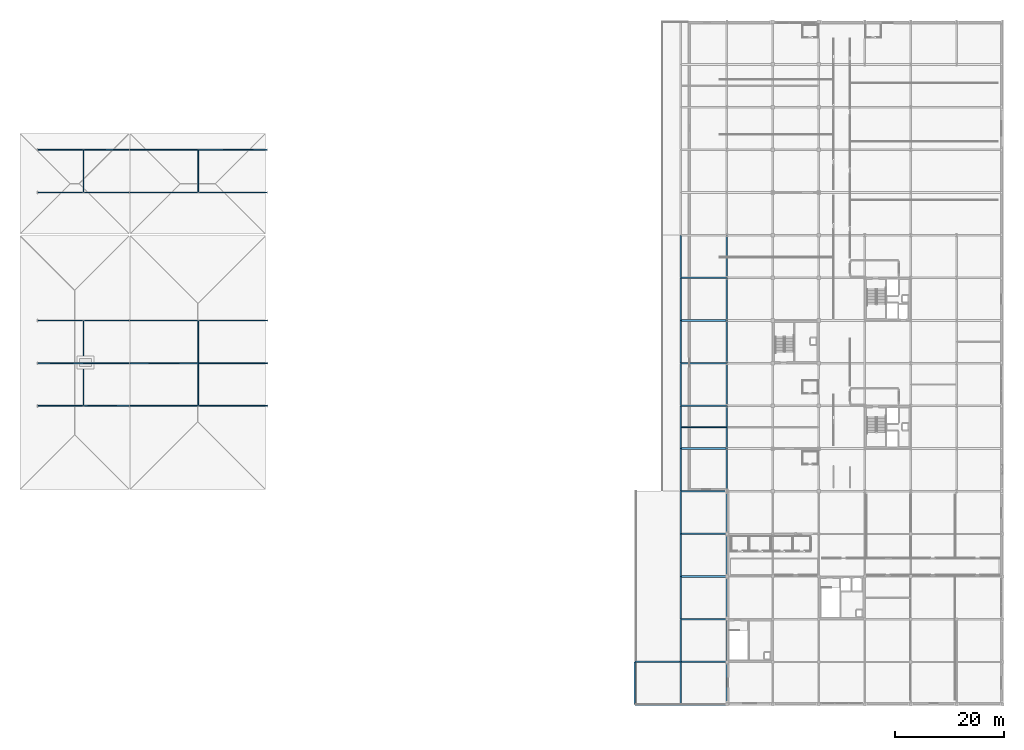
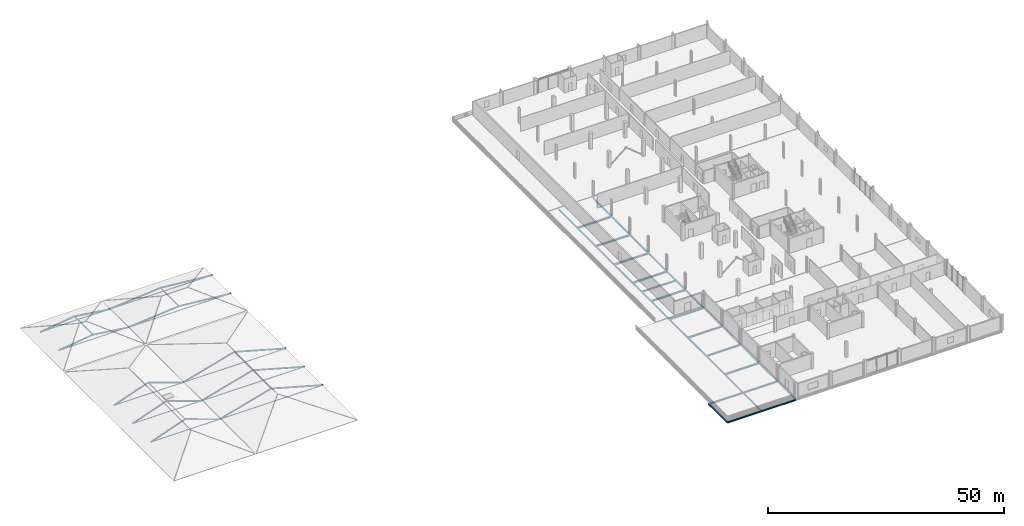
# One storey, part 8 of 41: 37 beams, 34 members.
"""IFC4 building model written with IfcOpenShell, lengths in metres."""

from ifc_helpers import new_model, si_unit, direction, frame, origin, origin_2d, place, context, subcontext, project, spatial, hollow_rectangle, hollow_circle, i_section, extrude, material, material_profile, profile_set, type_object, element, save


model = new_model("IFC4")

# Units and contexts
model_context = context("Model", 3, precision=1e-05, world=origin(), true_north=direction((0.0, 1.0)))
body_context = subcontext(model_context, "Body", "Model", "MODEL_VIEW")
ifc_project = project(units=[si_unit("LENGTHUNIT", "METRE"), si_unit("AREAUNIT", "SQUARE_METRE"), si_unit("VOLUMEUNIT", "CUBIC_METRE"), si_unit("PLANEANGLEUNIT", "RADIAN"), si_unit("MASSUNIT", "GRAM", prefix="KILO")], contexts=[model_context])

# Site, building, storey
site_placement = place(None, origin())
site = spatial("IfcSite", under=ifc_project, at=site_placement, CompositionType="ELEMENT")
building_placement = place(site_placement, origin())
building = spatial("IfcBuilding", under=site, at=building_placement, Name="Nabrawat Pavilion Hospital", CompositionType="ELEMENT")
storey_placement = place(building_placement, frame((0.0, 0.0, 18.89990234375)))
storey = spatial("IfcBuildingStorey", under=building, at=storey_placement, Name="L04", CompositionType="ELEMENT", Elevation=18.89990234375)

# Beams
ifc_material = material(Name="Steel S355", Category="steel")
ifc_material_profile_1 = material_profile(ifc_material, i_section(OverallWidth=0.300048828125, OverallDepth=0.43994140625, WebThickness=0.011474609375, FlangeThickness=0.02099609375, FilletRadius=0.027099609375, at=origin_2d()), Name="HEA 450")
ifc_profile_set_1 = profile_set([ifc_material_profile_1], Name="Steel S355")
beam_type_1 = type_object("IfcBeamType", Name="Mid-Tier Ward Girder HEA 450", PredefinedType="USERDEFINED", material=ifc_profile_set_1)
for number, where, z_axis, x_axis, name in (
    (1, (134.419921875, 46.800048828125, -0.4599609375), (1.0, 0.0, 0.0), (0.0, 1.0, 0.0), "L04 Primary X Girder 1792"),
    (2, (134.419921875, 54.60009765625, -0.4599609375), (1.0, 0.0, 0.0), (0.0, 1.0, 0.0), "L04 Primary X Girder 1799"),
    (3, (134.419921875, 62.39990234375, -0.4599609375), (1.0, 0.0, 0.0), (0.0, 1.0, 0.0), "L04 Primary X Girder 1806"),
    (4, (134.419921875, 70.199951171875, -0.4599609375), (1.0, 0.0, 0.0), (0.0, 1.0, 0.0), "L04 Primary X Girder 1812"),
    (5, (134.419921875, 78.0, -0.4599609375), (1.0, 0.0, 0.0), (0.0, 1.0, 0.0), "L04 Primary X Girder 1819"),
):
    element("IfcBeam", number, at=place(storey_placement, frame(where, z_axis=z_axis, x_axis=x_axis)), inside=storey, type_object=beam_type_1, Name=name, ObjectType="GIRDER", PredefinedType="USERDEFINED", context=body_context, shape_type="SweptSolid", body=[
        extrude(i_section(OverallWidth=0.300048828125, OverallDepth=0.43994140625, WebThickness=0.011474609375, FlangeThickness=0.02099609375, FilletRadius=0.027099609375, at=origin_2d()), origin(), (0.0, 0.0, 1.0), 8.360107421875),
    ])
ifc_material_profile_2 = material_profile(ifc_material, i_section(OverallWidth=0.300048828125, OverallDepth=0.389892578125, WebThickness=0.010986328125, FlangeThickness=0.01904296875, FilletRadius=0.027099609375, at=origin_2d()), Name="HEA 400")
ifc_profile_set_2 = profile_set([ifc_material_profile_2], Name="Steel S355")
beam_type_2 = type_object("IfcBeamType", Name="Perimeter Moment Spandrel Beam HEA 400", PredefinedType="SPANDREL", material=ifc_profile_set_2)
beam_1_placement = place(storey_placement, frame((126.02001953125, 0.0, -0.414794921875), z_axis=(1.0, 0.0, 0.0), x_axis=(0.0, 1.0, 0.0)))
element("IfcBeam", 6, at=beam_1_placement, inside=storey, type_object=beam_type_2, Name="L04 Primary X Girder 1753", PredefinedType="SPANDREL", context=body_context, shape_type="SweptSolid", body=[
    extrude(i_section(OverallWidth=0.300048828125, OverallDepth=0.389892578125, WebThickness=0.010986328125, FlangeThickness=0.01904296875, FilletRadius=0.027099609375, at=origin_2d()), origin(), (0.0, 0.0, 1.0), 8.35986328125),
])
beam_2_placement = place(storey_placement, frame((134.419921875, 0.0, -0.414794921875), z_axis=(1.0, 0.0, 0.0), x_axis=(0.0, 1.0, 0.0)))
element("IfcBeam", 7, at=beam_2_placement, inside=storey, type_object=beam_type_2, Name="L04 Primary X Girder 1754", PredefinedType="SPANDREL", context=body_context, shape_type="SweptSolid", body=[
    extrude(i_section(OverallWidth=0.300048828125, OverallDepth=0.389892578125, WebThickness=0.010986328125, FlangeThickness=0.01904296875, FilletRadius=0.027099609375, at=origin_2d()), origin(), (0.0, 0.0, 1.0), 8.360107421875),
])
beam_3_placement = place(storey_placement, frame((126.02001953125, 7.800048828125, -0.414794921875), z_axis=(1.0, 0.0, 0.0), x_axis=(0.0, 1.0, 0.0)))
element("IfcBeam", 8, at=beam_3_placement, inside=storey, type_object=beam_type_2, Name="L04 Primary X Girder 1761", PredefinedType="SPANDREL", context=body_context, shape_type="SweptSolid", body=[
    extrude(i_section(OverallWidth=0.300048828125, OverallDepth=0.389892578125, WebThickness=0.010986328125, FlangeThickness=0.01904296875, FilletRadius=0.027099609375, at=origin_2d()), origin(), (0.0, 0.0, 1.0), 8.35986328125),
])
for number, where, z_axis, x_axis, name in (
    (9, (134.419921875, 7.800048828125, -0.414794921875), (1.0, 0.0, 0.0), (0.0, 1.0, 0.0), "L04 Primary X Girder 1762"),
    (10, (134.419921875, 15.60009765625, -0.414794921875), (1.0, 0.0, 0.0), (0.0, 1.0, 0.0), "L04 Primary X Girder 1767"),
    (11, (134.419921875, 23.39990234375, -0.414794921875), (1.0, 0.0, 0.0), (0.0, 1.0, 0.0), "L04 Primary X Girder 1774"),
    (12, (134.419921875, 31.199951171875, -0.414794921875), (1.0, 0.0, 0.0), (0.0, 1.0, 0.0), "L04 Primary X Girder 1780"),
):
    element("IfcBeam", number, at=place(storey_placement, frame(where, z_axis=z_axis, x_axis=x_axis)), inside=storey, type_object=beam_type_2, Name=name, PredefinedType="SPANDREL", context=body_context, shape_type="SweptSolid", body=[
        extrude(i_section(OverallWidth=0.300048828125, OverallDepth=0.389892578125, WebThickness=0.010986328125, FlangeThickness=0.01904296875, FilletRadius=0.027099609375, at=origin_2d()), origin(), (0.0, 0.0, 1.0), 8.360107421875),
    ])

# Members
ifc_material_profile_3 = material_profile(ifc_material, hollow_circle(Radius=0.122314453125, WallThickness=0.012451171875, at=origin_2d()), Name="CHS 244.5x12.5")
ifc_profile_set_3 = profile_set([ifc_material_profile_3], Name="Steel S355")
member_type_1 = type_object("IfcMemberType", Name="Space Frame Transverse Chord CHS 244.5x12.5", PredefinedType="CHORD", material=ifc_profile_set_3)
for number, where, z_axis, x_axis, name in (
    (13, (16.800048828125, 54.60009765625, -0.349853515625), (1.0, 0.0, 0.0), (0.0, 1.0, 0.0), "Surgical West-South Pavilion Truss Bottom Tie Chord 01"),
    (14, (16.800048828125, 62.39990234375, -0.349853515625), (1.0, 0.0, 0.0), (0.0, 1.0, 0.0), "Surgical West-South Pavilion Truss Bottom Tie Chord 02"),
    (15, (16.800048828125, 70.199951171875, -0.349853515625), (1.0, 0.0, 0.0), (0.0, 1.0, 0.0), "Surgical West-South Pavilion Truss Bottom Tie Chord 03"),
):
    element("IfcMember", number, at=place(storey_placement, frame(where, z_axis=z_axis, x_axis=x_axis)), inside=storey, type_object=member_type_1, Name=name, PredefinedType="CHORD", context=body_context, shape_type="SweptSolid", body=[
        extrude(hollow_circle(Radius=0.122314453125, WallThickness=0.012451171875, at=origin_2d()), origin(), (0.0, 0.0, 1.0), 16.800048828125),
    ])
for number, where, z_axis, x_axis, name in (
    (16, (33.60009765625, 54.60009765625, -0.349853515625), (1.0, 0.0, 0.0), (0.0, 1.0, 0.0), "Surgical East-South Pavilion Truss Bottom Tie Chord 01"),
    (17, (33.60009765625, 62.39990234375, -0.349853515625), (1.0, 0.0, 0.0), (0.0, 1.0, 0.0), "Surgical East-South Pavilion Truss Bottom Tie Chord 02"),
    (18, (33.60009765625, 70.199951171875, -0.349853515625), (1.0, 0.0, 0.0), (0.0, 1.0, 0.0), "Surgical East-South Pavilion Truss Bottom Tie Chord 03"),
):
    element("IfcMember", number, at=place(storey_placement, frame(where, z_axis=z_axis, x_axis=x_axis)), inside=storey, type_object=member_type_1, Name=name, PredefinedType="CHORD", context=body_context, shape_type="SweptSolid", body=[
        extrude(hollow_circle(Radius=0.122314453125, WallThickness=0.012451171875, at=origin_2d()), origin(), (0.0, 0.0, 1.0), 25.199951171875),
    ])
for number, where, z_axis, x_axis, name in (
    (19, (16.800048828125, 93.60009765625, -0.349853515625), (1.0, 0.0, 0.0), (0.0, 1.0, 0.0), "Surgical West-North Pavilion Truss Bottom Tie Chord 01"),
    (20, (16.800048828125, 101.39990234375, -0.349853515625), (1.0, 0.0, 0.0), (0.0, 1.0, 0.0), "Surgical West-North Pavilion Truss Bottom Tie Chord 02"),
):
    element("IfcMember", number, at=place(storey_placement, frame(where, z_axis=z_axis, x_axis=x_axis)), inside=storey, type_object=member_type_1, Name=name, PredefinedType="CHORD", context=body_context, shape_type="SweptSolid", body=[
        extrude(hollow_circle(Radius=0.122314453125, WallThickness=0.012451171875, at=origin_2d()), origin(), (0.0, 0.0, 1.0), 16.800048828125),
    ])
for number, where, z_axis, x_axis, name in (
    (21, (33.60009765625, 93.60009765625, -0.349853515625), (1.0, 0.0, 0.0), (0.0, 1.0, 0.0), "Surgical East-North Pavilion Truss Bottom Tie Chord 01"),
    (22, (33.60009765625, 101.39990234375, -0.349853515625), (1.0, 0.0, 0.0), (0.0, 1.0, 0.0), "Surgical East-North Pavilion Truss Bottom Tie Chord 02"),
):
    element("IfcMember", number, at=place(storey_placement, frame(where, z_axis=z_axis, x_axis=x_axis)), inside=storey, type_object=member_type_1, Name=name, PredefinedType="CHORD", context=body_context, shape_type="SweptSolid", body=[
        extrude(hollow_circle(Radius=0.122314453125, WallThickness=0.012451171875, at=origin_2d()), origin(), (0.0, 0.0, 1.0), 25.199951171875),
    ])
ifc_material_profile_4 = material_profile(ifc_material, i_section(OverallWidth=0.169921875, OverallDepth=0.360107421875, WebThickness=0.008056640625, FlangeThickness=0.0126953125, FilletRadius=0.01806640625, at=origin_2d()), Name="IPE 360")
ifc_profile_set_4 = profile_set([ifc_material_profile_4], Name="Steel S355")
member_type_2 = type_object("IfcMemberType", Name="Surgical Hipped Roof Rafter IPE 360", PredefinedType="RAFTER", material=ifc_profile_set_4)
member_1_placement = place(storey_placement, frame((16.800048828125, 54.60009765625, -0.349853515625), z_axis=(0.943018666392, 0.0, 0.332739830553), x_axis=(0.0, 1.0, 0.0)))
element("IfcMember", 23, at=member_1_placement, inside=storey, type_object=member_type_2, Name="Surgical West-South Pavilion West Hipped Rafter 01", PredefinedType="RAFTER", context=body_context, shape_type="SweptSolid", body=[
    extrude(i_section(OverallWidth=0.169921875, OverallDepth=0.360107421875, WebThickness=0.008056640625, FlangeThickness=0.0126953125, FilletRadius=0.01806640625, at=origin_2d()), origin(), (0.0, 0.0, 1.0), 8.907470703125),
])
member_2_placement = place(storey_placement, frame((33.60009765625, 54.60009765625, -0.349853515625), z_axis=(-0.943021700834, 0.0, 0.332731230509), x_axis=(0.0, -1.0, 0.0)))
element("IfcMember", 24, at=member_2_placement, inside=storey, type_object=member_type_2, Name="Surgical West-South Pavilion East Hipped Rafter 01", PredefinedType="RAFTER", context=body_context, shape_type="SweptSolid", body=[
    extrude(i_section(OverallWidth=0.169921875, OverallDepth=0.360107421875, WebThickness=0.008056640625, FlangeThickness=0.0126953125, FilletRadius=0.01806640625, at=origin_2d()), origin(), (0.0, 0.0, 1.0), 8.90771484375),
])
member_3_placement = place(storey_placement, frame((16.800048828125, 62.39990234375, -0.349853515625), z_axis=(0.943018666392, 0.0, 0.332739830553), x_axis=(0.0, 1.0, 0.0)))
element("IfcMember", 25, at=member_3_placement, inside=storey, type_object=member_type_2, Name="Surgical West-South Pavilion West Hipped Rafter 02", PredefinedType="RAFTER", context=body_context, shape_type="SweptSolid", body=[
    extrude(i_section(OverallWidth=0.169921875, OverallDepth=0.360107421875, WebThickness=0.008056640625, FlangeThickness=0.0126953125, FilletRadius=0.01806640625, at=origin_2d()), origin(), (0.0, 0.0, 1.0), 8.907470703125),
])
member_4_placement = place(storey_placement, frame((33.60009765625, 62.39990234375, -0.349853515625), z_axis=(-0.943021700834, 0.0, 0.332731230509), x_axis=(0.0, -1.0, 0.0)))
element("IfcMember", 26, at=member_4_placement, inside=storey, type_object=member_type_2, Name="Surgical West-South Pavilion East Hipped Rafter 02", PredefinedType="RAFTER", context=body_context, shape_type="SweptSolid", body=[
    extrude(i_section(OverallWidth=0.169921875, OverallDepth=0.360107421875, WebThickness=0.008056640625, FlangeThickness=0.0126953125, FilletRadius=0.01806640625, at=origin_2d()), origin(), (0.0, 0.0, 1.0), 8.90771484375),
])
member_5_placement = place(storey_placement, frame((16.800048828125, 70.199951171875, -0.349853515625), z_axis=(0.943018666392, 0.0, 0.332739830553), x_axis=(0.0, 1.0, 0.0)))
element("IfcMember", 27, at=member_5_placement, inside=storey, type_object=member_type_2, Name="Surgical West-South Pavilion West Hipped Rafter 03", PredefinedType="RAFTER", context=body_context, shape_type="SweptSolid", body=[
    extrude(i_section(OverallWidth=0.169921875, OverallDepth=0.360107421875, WebThickness=0.008056640625, FlangeThickness=0.0126953125, FilletRadius=0.01806640625, at=origin_2d()), origin(), (0.0, 0.0, 1.0), 8.907470703125),
])
member_6_placement = place(storey_placement, frame((33.60009765625, 70.199951171875, -0.349853515625), z_axis=(-0.943021700834, 0.0, 0.332731230509), x_axis=(0.0, -1.0, 0.0)))
element("IfcMember", 28, at=member_6_placement, inside=storey, type_object=member_type_2, Name="Surgical West-South Pavilion East Hipped Rafter 03", PredefinedType="RAFTER", context=body_context, shape_type="SweptSolid", body=[
    extrude(i_section(OverallWidth=0.169921875, OverallDepth=0.360107421875, WebThickness=0.008056640625, FlangeThickness=0.0126953125, FilletRadius=0.01806640625, at=origin_2d()), origin(), (0.0, 0.0, 1.0), 8.90771484375),
])
member_7_placement = place(storey_placement, frame((33.60009765625, 54.60009765625, -0.349853515625), z_axis=(0.963300185855, 0.0, 0.268426436722), x_axis=(0.0, 1.0, 0.0)))
element("IfcMember", 29, at=member_7_placement, inside=storey, type_object=member_type_2, Name="Surgical East-South Pavilion West Hipped Rafter 01", PredefinedType="RAFTER", context=body_context, shape_type="SweptSolid", body=[
    extrude(i_section(OverallWidth=0.169921875, OverallDepth=0.360107421875, WebThickness=0.008056640625, FlangeThickness=0.0126953125, FilletRadius=0.01806640625, at=origin_2d()), origin(), (0.0, 0.0, 1.0), 13.079833984375),
])
member_8_placement = place(storey_placement, frame((58.800048828125, 54.60009765625, -0.349853515625), z_axis=(-0.963301530709, 0.0, 0.268421610407), x_axis=(0.0, -1.0, 0.0)))
element("IfcMember", 30, at=member_8_placement, inside=storey, type_object=member_type_2, Name="Surgical East-South Pavilion East Hipped Rafter 01", PredefinedType="RAFTER", context=body_context, shape_type="SweptSolid", body=[
    extrude(i_section(OverallWidth=0.169921875, OverallDepth=0.360107421875, WebThickness=0.008056640625, FlangeThickness=0.0126953125, FilletRadius=0.01806640625, at=origin_2d()), origin(), (0.0, 0.0, 1.0), 13.080078125),
])
member_9_placement = place(storey_placement, frame((33.60009765625, 62.39990234375, -0.349853515625), z_axis=(0.963300185855, 0.0, 0.268426436722), x_axis=(0.0, 1.0, 0.0)))
element("IfcMember", 31, at=member_9_placement, inside=storey, type_object=member_type_2, Name="Surgical East-South Pavilion West Hipped Rafter 02", PredefinedType="RAFTER", context=body_context, shape_type="SweptSolid", body=[
    extrude(i_section(OverallWidth=0.169921875, OverallDepth=0.360107421875, WebThickness=0.008056640625, FlangeThickness=0.0126953125, FilletRadius=0.01806640625, at=origin_2d()), origin(), (0.0, 0.0, 1.0), 13.079833984375),
])
member_10_placement = place(storey_placement, frame((58.800048828125, 62.39990234375, -0.349853515625), z_axis=(-0.963301530709, 0.0, 0.268421610407), x_axis=(0.0, -1.0, 0.0)))
element("IfcMember", 32, at=member_10_placement, inside=storey, type_object=member_type_2, Name="Surgical East-South Pavilion East Hipped Rafter 02", PredefinedType="RAFTER", context=body_context, shape_type="SweptSolid", body=[
    extrude(i_section(OverallWidth=0.169921875, OverallDepth=0.360107421875, WebThickness=0.008056640625, FlangeThickness=0.0126953125, FilletRadius=0.01806640625, at=origin_2d()), origin(), (0.0, 0.0, 1.0), 13.080078125),
])
member_11_placement = place(storey_placement, frame((33.60009765625, 70.199951171875, -0.349853515625), z_axis=(0.963300185855, 0.0, 0.268426436722), x_axis=(0.0, 1.0, 0.0)))
element("IfcMember", 33, at=member_11_placement, inside=storey, type_object=member_type_2, Name="Surgical East-South Pavilion West Hipped Rafter 03", PredefinedType="RAFTER", context=body_context, shape_type="SweptSolid", body=[
    extrude(i_section(OverallWidth=0.169921875, OverallDepth=0.360107421875, WebThickness=0.008056640625, FlangeThickness=0.0126953125, FilletRadius=0.01806640625, at=origin_2d()), origin(), (0.0, 0.0, 1.0), 13.079833984375),
])
member_12_placement = place(storey_placement, frame((58.800048828125, 70.199951171875, -0.349853515625), z_axis=(-0.963301530709, 0.0, 0.268421610407), x_axis=(0.0, -1.0, 0.0)))
element("IfcMember", 34, at=member_12_placement, inside=storey, type_object=member_type_2, Name="Surgical East-South Pavilion East Hipped Rafter 03", PredefinedType="RAFTER", context=body_context, shape_type="SweptSolid", body=[
    extrude(i_section(OverallWidth=0.169921875, OverallDepth=0.360107421875, WebThickness=0.008056640625, FlangeThickness=0.0126953125, FilletRadius=0.01806640625, at=origin_2d()), origin(), (0.0, 0.0, 1.0), 13.080078125),
])
member_13_placement = place(storey_placement, frame((16.800048828125, 93.60009765625, -0.349853515625), z_axis=(0.991323764136, 0.0, 0.131442742893), x_axis=(0.0, 1.0, 0.0)))
element("IfcMember", 35, at=member_13_placement, inside=storey, type_object=member_type_2, Name="Surgical West-North Pavilion West Hipped Rafter 01", PredefinedType="RAFTER", context=body_context, shape_type="SweptSolid", body=[
    extrude(i_section(OverallWidth=0.169921875, OverallDepth=0.360107421875, WebThickness=0.008056640625, FlangeThickness=0.0126953125, FilletRadius=0.01806640625, at=origin_2d()), origin(), (0.0, 0.0, 1.0), 8.473388671875),
])
member_14_placement = place(storey_placement, frame((33.60009765625, 93.60009765625, -0.349853515625), z_axis=(-0.991324261914, 0.0, 0.131438988661), x_axis=(0.0, -1.0, 0.0)))
element("IfcMember", 36, at=member_14_placement, inside=storey, type_object=member_type_2, Name="Surgical West-North Pavilion East Hipped Rafter 01", PredefinedType="RAFTER", context=body_context, shape_type="SweptSolid", body=[
    extrude(i_section(OverallWidth=0.169921875, OverallDepth=0.360107421875, WebThickness=0.008056640625, FlangeThickness=0.0126953125, FilletRadius=0.01806640625, at=origin_2d()), origin(), (0.0, 0.0, 1.0), 8.4736328125),
])
member_15_placement = place(storey_placement, frame((16.800048828125, 101.39990234375, -0.349853515625), z_axis=(0.991323764136, 0.0, 0.131442742893), x_axis=(0.0, 1.0, 0.0)))
element("IfcMember", 37, at=member_15_placement, inside=storey, type_object=member_type_2, Name="Surgical West-North Pavilion West Hipped Rafter 02", PredefinedType="RAFTER", context=body_context, shape_type="SweptSolid", body=[
    extrude(i_section(OverallWidth=0.169921875, OverallDepth=0.360107421875, WebThickness=0.008056640625, FlangeThickness=0.0126953125, FilletRadius=0.01806640625, at=origin_2d()), origin(), (0.0, 0.0, 1.0), 8.473388671875),
])
member_16_placement = place(storey_placement, frame((33.60009765625, 101.39990234375, -0.349853515625), z_axis=(-0.991324261914, 0.0, 0.131438988661), x_axis=(0.0, -1.0, 0.0)))
element("IfcMember", 38, at=member_16_placement, inside=storey, type_object=member_type_2, Name="Surgical West-North Pavilion East Hipped Rafter 02", PredefinedType="RAFTER", context=body_context, shape_type="SweptSolid", body=[
    extrude(i_section(OverallWidth=0.169921875, OverallDepth=0.360107421875, WebThickness=0.008056640625, FlangeThickness=0.0126953125, FilletRadius=0.01806640625, at=origin_2d()), origin(), (0.0, 0.0, 1.0), 8.4736328125),
])
member_17_placement = place(storey_placement, frame((33.60009765625, 93.60009765625, -0.349853515625), z_axis=(0.996115870998, 0.0, 0.088052095632), x_axis=(0.0, 1.0, 0.0)))
element("IfcMember", 39, at=member_17_placement, inside=storey, type_object=member_type_2, Name="Surgical East-North Pavilion West Hipped Rafter 01", PredefinedType="RAFTER", context=body_context, shape_type="SweptSolid", body=[
    extrude(i_section(OverallWidth=0.169921875, OverallDepth=0.360107421875, WebThickness=0.008056640625, FlangeThickness=0.0126953125, FilletRadius=0.01806640625, at=origin_2d()), origin(), (0.0, 0.0, 1.0), 12.64892578125),
])
member_18_placement = place(storey_placement, frame((58.800048828125, 93.60009765625, -0.349853515625), z_axis=(-0.99611602064, 0.0, 0.088050402754), x_axis=(0.0, -1.0, 0.0)))
element("IfcMember", 40, at=member_18_placement, inside=storey, type_object=member_type_2, Name="Surgical East-North Pavilion East Hipped Rafter 01", PredefinedType="RAFTER", context=body_context, shape_type="SweptSolid", body=[
    extrude(i_section(OverallWidth=0.169921875, OverallDepth=0.360107421875, WebThickness=0.008056640625, FlangeThickness=0.0126953125, FilletRadius=0.01806640625, at=origin_2d()), origin(), (0.0, 0.0, 1.0), 12.649169921875),
])
member_19_placement = place(storey_placement, frame((33.60009765625, 101.39990234375, -0.349853515625), z_axis=(0.996115870998, 0.0, 0.088052095632), x_axis=(0.0, 1.0, 0.0)))
element("IfcMember", 41, at=member_19_placement, inside=storey, type_object=member_type_2, Name="Surgical East-North Pavilion West Hipped Rafter 02", PredefinedType="RAFTER", context=body_context, shape_type="SweptSolid", body=[
    extrude(i_section(OverallWidth=0.169921875, OverallDepth=0.360107421875, WebThickness=0.008056640625, FlangeThickness=0.0126953125, FilletRadius=0.01806640625, at=origin_2d()), origin(), (0.0, 0.0, 1.0), 12.64892578125),
])
member_20_placement = place(storey_placement, frame((58.800048828125, 101.39990234375, -0.349853515625), z_axis=(-0.99611602064, 0.0, 0.088050402754), x_axis=(0.0, -1.0, 0.0)))
element("IfcMember", 42, at=member_20_placement, inside=storey, type_object=member_type_2, Name="Surgical East-North Pavilion East Hipped Rafter 02", PredefinedType="RAFTER", context=body_context, shape_type="SweptSolid", body=[
    extrude(i_section(OverallWidth=0.169921875, OverallDepth=0.360107421875, WebThickness=0.008056640625, FlangeThickness=0.0126953125, FilletRadius=0.01806640625, at=origin_2d()), origin(), (0.0, 0.0, 1.0), 12.649169921875),
])
ifc_material_profile_5 = material_profile(ifc_material, hollow_rectangle(XDim=0.14990234375, YDim=0.25, WallThickness=0.010009765625, at=origin_2d()), Name="RHS 250x150x10")
ifc_profile_set_5 = profile_set([ifc_material_profile_5], Name="Steel S355")
member_type_3 = type_object("IfcMemberType", Name="Surgical Roof Purlin RHS 250x150x10", PredefinedType="PURLIN", material=ifc_profile_set_5)
for number, where, z_axis, x_axis, name in (
    (43, (25.199951171875, 54.60009765625, 2.614013671875), (0.0, 1.0, 0.0), (-1.0, 0.0, 0.0), "Surgical West-South Pavilion Roof Ridge Purlin"),
    (44, (46.199951171875, 54.60009765625, 3.1611328125), (0.0, 1.0, 0.0), (-1.0, 0.0, 0.0), "Surgical East-South Pavilion Roof Ridge Purlin"),
):
    element("IfcMember", number, at=place(storey_placement, frame(where, z_axis=z_axis, x_axis=x_axis)), inside=storey, type_object=member_type_3, Name=name, PredefinedType="PURLIN", context=body_context, shape_type="SweptSolid", body=[
        extrude(hollow_rectangle(XDim=0.14990234375, YDim=0.25, WallThickness=0.010009765625, at=origin_2d()), origin(), (0.0, 0.0, 1.0), 15.599853515625),
    ])
for number, where, z_axis, x_axis, name in (
    (45, (25.199951171875, 93.60009765625, 0.763916015625), (0.0, 1.0, 0.0), (-1.0, 0.0, 0.0), "Surgical West-North Pavilion Roof Ridge Purlin"),
    (46, (46.199951171875, 93.60009765625, 0.763916015625), (0.0, 1.0, 0.0), (-1.0, 0.0, 0.0), "Surgical East-North Pavilion Roof Ridge Purlin"),
):
    element("IfcMember", number, at=place(storey_placement, frame(where, z_axis=z_axis, x_axis=x_axis)), inside=storey, type_object=member_type_3, Name=name, PredefinedType="PURLIN", context=body_context, shape_type="SweptSolid", body=[
        extrude(hollow_rectangle(XDim=0.14990234375, YDim=0.25, WallThickness=0.010009765625, at=origin_2d()), origin(), (0.0, 0.0, 1.0), 7.7998046875),
    ])

# Beams
ifc_material_profile_6 = material_profile(ifc_material, i_section(OverallWidth=0.280029296875, OverallDepth=0.280029296875, WebThickness=0.010498046875, FlangeThickness=0.01806640625, FilletRadius=0.02392578125, at=origin_2d()), Name="HEB 280")
ifc_profile_set_6 = profile_set([ifc_material_profile_6], Name="Steel S355")
beam_type_3 = type_object("IfcBeamType", Name="Upper Terrace Edge Spandrel HEB 280", PredefinedType="SPANDREL", material=ifc_profile_set_6)
for number, where, z_axis, x_axis, name in (
    (47, (126.0, 0.02001953125, -0.35986328125), (0.0, 1.0, 0.0), (-1.0, 0.0, 0.0), "L04 Primary Y Beam 1862"),
    (48, (134.39990234375, 0.02001953125, -0.35986328125), (0.0, 1.0, 0.0), (-1.0, 0.0, 0.0), "L04 Primary Y Beam 1863"),
    (49, (134.39990234375, 7.820068359375, -0.35986328125), (0.0, 1.0, 0.0), (-1.0, 0.0, 0.0), "L04 Primary Y Beam 1864"),
):
    element("IfcBeam", number, at=place(storey_placement, frame(where, z_axis=z_axis, x_axis=x_axis)), inside=storey, type_object=beam_type_3, Name=name, PredefinedType="SPANDREL", context=body_context, shape_type="SweptSolid", body=[
        extrude(i_section(OverallWidth=0.280029296875, OverallDepth=0.280029296875, WebThickness=0.010498046875, FlangeThickness=0.01806640625, FilletRadius=0.02392578125, at=origin_2d()), origin(), (0.0, 0.0, 1.0), 7.760009765625),
    ])
beam_4_placement = place(storey_placement, frame((134.39990234375, 15.6201171875, -0.35986328125), z_axis=(0.0, 1.0, 0.0), x_axis=(-1.0, 0.0, 0.0)))
element("IfcBeam", 50, at=beam_4_placement, inside=storey, type_object=beam_type_3, Name="L04 Primary Y Beam 1865", PredefinedType="SPANDREL", context=body_context, shape_type="SweptSolid", body=[
    extrude(i_section(OverallWidth=0.280029296875, OverallDepth=0.280029296875, WebThickness=0.010498046875, FlangeThickness=0.01806640625, FilletRadius=0.02392578125, at=origin_2d()), origin(), (0.0, 0.0, 1.0), 7.759765625),
])
for number, where, z_axis, x_axis, name in (
    (51, (134.39990234375, 23.419921875, -0.35986328125), (0.0, 1.0, 0.0), (-1.0, 0.0, 0.0), "L04 Primary Y Beam 1866"),
    (52, (134.39990234375, 31.219970703125, -0.35986328125), (0.0, 1.0, 0.0), (-1.0, 0.0, 0.0), "L04 Primary Y Beam 1867"),
    (53, (134.39990234375, 39.02001953125, -0.3798828125), (0.0, 1.0, 0.0), (-1.0, 0.0, 0.0), "L04 Primary Y Beam 1868"),
    (54, (134.39990234375, 46.820068359375, -0.3798828125), (0.0, 1.0, 0.0), (-1.0, 0.0, 0.0), "L04 Primary Y Beam 1869"),
):
    element("IfcBeam", number, at=place(storey_placement, frame(where, z_axis=z_axis, x_axis=x_axis)), inside=storey, type_object=beam_type_3, Name=name, PredefinedType="SPANDREL", context=body_context, shape_type="SweptSolid", body=[
        extrude(i_section(OverallWidth=0.280029296875, OverallDepth=0.280029296875, WebThickness=0.010498046875, FlangeThickness=0.01806640625, FilletRadius=0.02392578125, at=origin_2d()), origin(), (0.0, 0.0, 1.0), 7.760009765625),
    ])
beam_5_placement = place(storey_placement, frame((134.39990234375, 54.6201171875, -0.3798828125), z_axis=(0.0, 1.0, 0.0), x_axis=(-1.0, 0.0, 0.0)))
element("IfcBeam", 55, at=beam_5_placement, inside=storey, type_object=beam_type_3, Name="L04 Primary Y Beam 1870", PredefinedType="SPANDREL", context=body_context, shape_type="SweptSolid", body=[
    extrude(i_section(OverallWidth=0.280029296875, OverallDepth=0.280029296875, WebThickness=0.010498046875, FlangeThickness=0.01806640625, FilletRadius=0.02392578125, at=origin_2d()), origin(), (0.0, 0.0, 1.0), 7.759765625),
])
for number, where, z_axis, x_axis, name in (
    (56, (134.39990234375, 62.419921875, -0.3798828125), (0.0, 1.0, 0.0), (-1.0, 0.0, 0.0), "L04 Primary Y Beam 1871"),
    (57, (134.39990234375, 70.219970703125, -0.3798828125), (0.0, 1.0, 0.0), (-1.0, 0.0, 0.0), "L04 Primary Y Beam 1872"),
    (58, (134.39990234375, 78.02001953125, -0.3798828125), (0.0, 1.0, 0.0), (-1.0, 0.0, 0.0), "L04 Primary Y Beam 1873"),
    (59, (142.800048828125, 0.02001953125, -0.369873046875), (0.0, 1.0, 0.0), (-1.0, 0.0, 0.0), "L04 Primary Y Beam 1879"),
    (60, (142.800048828125, 7.820068359375, -0.369873046875), (0.0, 1.0, 0.0), (-1.0, 0.0, 0.0), "L04 Primary Y Beam 1880"),
):
    element("IfcBeam", number, at=place(storey_placement, frame(where, z_axis=z_axis, x_axis=x_axis)), inside=storey, type_object=beam_type_3, Name=name, PredefinedType="SPANDREL", context=body_context, shape_type="SweptSolid", body=[
        extrude(i_section(OverallWidth=0.280029296875, OverallDepth=0.280029296875, WebThickness=0.010498046875, FlangeThickness=0.01806640625, FilletRadius=0.02392578125, at=origin_2d()), origin(), (0.0, 0.0, 1.0), 7.760009765625),
    ])
beam_6_placement = place(storey_placement, frame((142.800048828125, 15.6201171875, -0.369873046875), z_axis=(0.0, 1.0, 0.0), x_axis=(-1.0, 0.0, 0.0)))
element("IfcBeam", 61, at=beam_6_placement, inside=storey, type_object=beam_type_3, Name="L04 Primary Y Beam 1881", PredefinedType="SPANDREL", context=body_context, shape_type="SweptSolid", body=[
    extrude(i_section(OverallWidth=0.280029296875, OverallDepth=0.280029296875, WebThickness=0.010498046875, FlangeThickness=0.01806640625, FilletRadius=0.02392578125, at=origin_2d()), origin(), (0.0, 0.0, 1.0), 7.759765625),
])
for number, where, z_axis, x_axis, name in (
    (62, (142.800048828125, 23.419921875, -0.369873046875), (0.0, 1.0, 0.0), (-1.0, 0.0, 0.0), "L04 Primary Y Beam 1882"),
    (63, (142.800048828125, 31.219970703125, -0.369873046875), (0.0, 1.0, 0.0), (-1.0, 0.0, 0.0), "L04 Primary Y Beam 1883"),
):
    element("IfcBeam", number, at=place(storey_placement, frame(where, z_axis=z_axis, x_axis=x_axis)), inside=storey, type_object=beam_type_3, Name=name, PredefinedType="SPANDREL", context=body_context, shape_type="SweptSolid", body=[
        extrude(i_section(OverallWidth=0.280029296875, OverallDepth=0.280029296875, WebThickness=0.010498046875, FlangeThickness=0.01806640625, FilletRadius=0.02392578125, at=origin_2d()), origin(), (0.0, 0.0, 1.0), 7.760009765625),
    ])
ifc_material_profile_7 = material_profile(ifc_material, i_section(OverallWidth=0.300048828125, OverallDepth=0.340087890625, WebThickness=0.011962890625, FlangeThickness=0.021484375, FilletRadius=0.027099609375, at=origin_2d()), Name="HEB 340")
ifc_profile_set_7 = profile_set([ifc_material_profile_7], Name="Steel S355")
beam_type_4 = type_object("IfcBeamType", Name="Ward Perimeter Spandrel Beam HEB 340", PredefinedType="SPANDREL", material=ifc_profile_set_7)
beam_7_placement = place(storey_placement, frame((134.419921875, 39.0, -0.409912109375), z_axis=(1.0, 0.0, 0.0), x_axis=(0.0, 1.0, 0.0)))
element("IfcBeam", 64, at=beam_7_placement, inside=storey, type_object=beam_type_4, Name="L04 Primary X Girder 1785", PredefinedType="SPANDREL", context=body_context, shape_type="SweptSolid", body=[
    extrude(i_section(OverallWidth=0.300048828125, OverallDepth=0.340087890625, WebThickness=0.011962890625, FlangeThickness=0.021484375, FilletRadius=0.027099609375, at=origin_2d()), origin(), (0.0, 0.0, 1.0), 8.360107421875),
])
ifc_material_profile_8 = material_profile(ifc_material, i_section(OverallWidth=0.14990234375, OverallDepth=0.300048828125, WebThickness=0.007080078125, FlangeThickness=0.0107421875, FilletRadius=0.014892578125, at=origin_2d()), Name="IPE 300")
ifc_profile_set_8 = profile_set([ifc_material_profile_8], Name="Steel S355")
beam_type_5 = type_object("IfcBeamType", Name="Ward Secondary Floor Joist IPE 300", PredefinedType="JOIST", material=ifc_profile_set_8)
beam_8_placement = place(storey_placement, frame((134.514892578125, 50.699951171875, -0.389892578125), z_axis=(1.0, 0.0, 0.0), x_axis=(0.0, 1.0, 0.0)))
element("IfcBeam", 65, at=beam_8_placement, inside=storey, type_object=beam_type_5, Name="L04 Secondary Composite Floor Joist 1976", PredefinedType="JOIST", context=body_context, shape_type="SweptSolid", body=[
    extrude(i_section(OverallWidth=0.14990234375, OverallDepth=0.300048828125, WebThickness=0.007080078125, FlangeThickness=0.0107421875, FilletRadius=0.014892578125, at=origin_2d()), origin(), (0.0, 0.0, 1.0), 8.16015625),
])
ifc_material_profile_9 = material_profile(ifc_material, i_section(OverallWidth=0.300048828125, OverallDepth=0.31005859375, WebThickness=0.009033203125, FlangeThickness=0.015380859375, FilletRadius=0.027099609375, at=origin_2d()), Name="HEA 320")
ifc_profile_set_9 = profile_set([ifc_material_profile_9], Name="Steel S355")
beam_type_6 = type_object("IfcBeamType", Name="Ward Spine Beam HEA 320", PredefinedType="BEAM", material=ifc_profile_set_9)
for number, where, z_axis, x_axis, name in (
    (66, (142.800048828125, 39.02001953125, -0.39501953125), (0.0, 1.0, 0.0), (-1.0, 0.0, 0.0), "L04 Primary Y Beam 1884"),
    (67, (142.800048828125, 46.820068359375, -0.39501953125), (0.0, 1.0, 0.0), (-1.0, 0.0, 0.0), "L04 Primary Y Beam 1885"),
):
    element("IfcBeam", number, at=place(storey_placement, frame(where, z_axis=z_axis, x_axis=x_axis)), inside=storey, type_object=beam_type_6, Name=name, PredefinedType="BEAM", context=body_context, shape_type="SweptSolid", body=[
        extrude(i_section(OverallWidth=0.300048828125, OverallDepth=0.31005859375, WebThickness=0.009033203125, FlangeThickness=0.015380859375, FilletRadius=0.027099609375, at=origin_2d()), origin(), (0.0, 0.0, 1.0), 7.760009765625),
    ])
beam_9_placement = place(storey_placement, frame((142.800048828125, 54.6201171875, -0.39501953125), z_axis=(0.0, 1.0, 0.0), x_axis=(-1.0, 0.0, 0.0)))
element("IfcBeam", 68, at=beam_9_placement, inside=storey, type_object=beam_type_6, Name="L04 Primary Y Beam 1886", PredefinedType="BEAM", context=body_context, shape_type="SweptSolid", body=[
    extrude(i_section(OverallWidth=0.300048828125, OverallDepth=0.31005859375, WebThickness=0.009033203125, FlangeThickness=0.015380859375, FilletRadius=0.027099609375, at=origin_2d()), origin(), (0.0, 0.0, 1.0), 7.759765625),
])
for number, where, z_axis, x_axis, name in (
    (69, (142.800048828125, 62.419921875, -0.39501953125), (0.0, 1.0, 0.0), (-1.0, 0.0, 0.0), "L04 Primary Y Beam 1887"),
    (70, (142.800048828125, 70.219970703125, -0.39501953125), (0.0, 1.0, 0.0), (-1.0, 0.0, 0.0), "L04 Primary Y Beam 1888"),
    (71, (142.800048828125, 78.02001953125, -0.39501953125), (0.0, 1.0, 0.0), (-1.0, 0.0, 0.0), "L04 Primary Y Beam 1889"),
):
    element("IfcBeam", number, at=place(storey_placement, frame(where, z_axis=z_axis, x_axis=x_axis)), inside=storey, type_object=beam_type_6, Name=name, PredefinedType="BEAM", context=body_context, shape_type="SweptSolid", body=[
        extrude(i_section(OverallWidth=0.300048828125, OverallDepth=0.31005859375, WebThickness=0.009033203125, FlangeThickness=0.015380859375, FilletRadius=0.027099609375, at=origin_2d()), origin(), (0.0, 0.0, 1.0), 7.760009765625),
    ])

save(model, "model.ifc")
